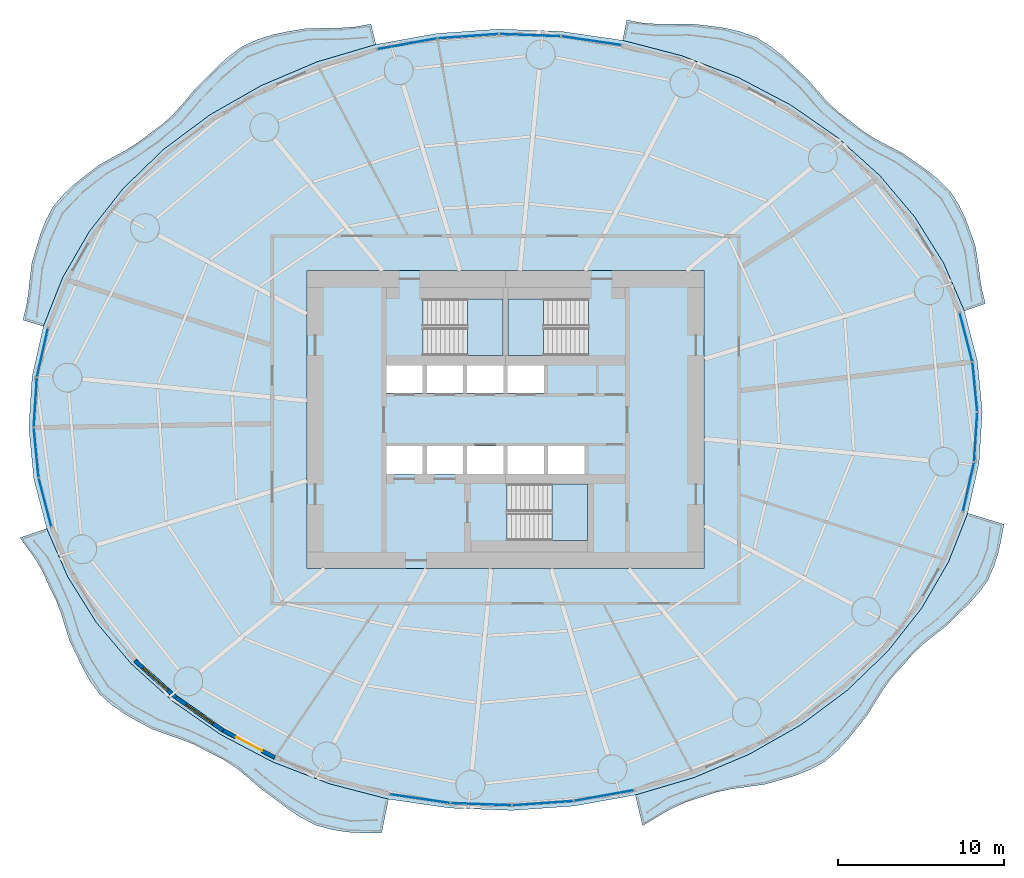
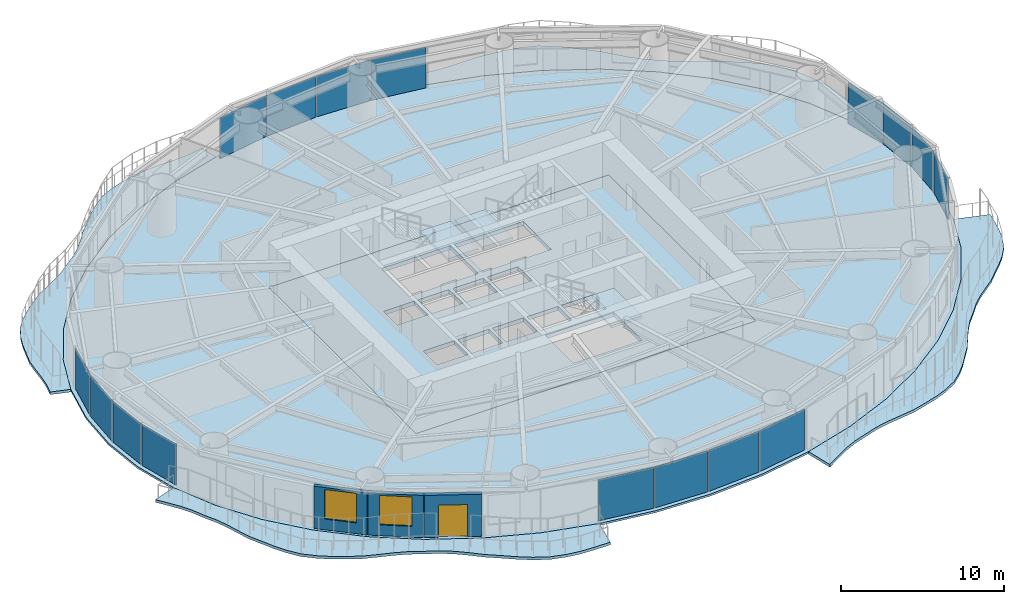
# One storey, part 7 of 17: 16 plates, 9 slabs, 3 walls, 2 windows, 1 door, 3 openings, 19 elements without a shape of their own.
"""IFC4 building model written with IfcOpenShell, lengths in metres."""

from ifc_helpers import new_model, si_unit, direction, frame, frame_2d, origin, origin_2d, place, context, subcontext, project, spatial, polyline, rectangle, outline, extrude, material, layer, layer_set, type_object, element, fill, aggregate, save


model = new_model("IFC4")

# Units and contexts
model_context = context("Model", 3, precision=1e-05, world=origin(), true_north=direction((0.0, 1.0)))
body_context = subcontext(model_context, "Body", "Model", "MODEL_VIEW")
ifc_project = project(units=[si_unit("LENGTHUNIT", "METRE"), si_unit("AREAUNIT", "SQUARE_METRE"), si_unit("VOLUMEUNIT", "CUBIC_METRE"), si_unit("PLANEANGLEUNIT", "RADIAN"), si_unit("MASSUNIT", "GRAM", prefix="KILO")], contexts=[model_context])

# Site, building, storey
site_placement = place(None, origin())
site = spatial("IfcSite", under=ifc_project, at=site_placement, CompositionType="ELEMENT")
building_placement = place(site_placement, origin())
building = spatial("IfcBuilding", under=site, at=building_placement, Name="Vermilion Reach Broadcast Tower", CompositionType="ELEMENT")
storey_placement = place(building_placement, frame((0.0, 0.0, 39.699951171875)))
storey = spatial("IfcBuildingStorey", under=building, at=storey_placement, Name="L06", CompositionType="ELEMENT", Elevation=39.699951171875)

# Slabs
ifc_material_1 = material(Name="Concrete C40/50", Category="concrete")
ifc_layer_1 = layer(ifc_material_1, 0.199951171875)
ifc_layer_set_1 = layer_set([ifc_layer_1], Name="Balcony slab 200")
slab_type_1 = type_object("IfcSlabType", Name="Balcony slab 200", PredefinedType="FLOOR", material=ifc_layer_set_1)
placement_1 = place(storey_placement, frame((0.0, 0.0, -0.199951171875)))
element("IfcSlab", 1, at=placement_1, inside=storey, type_object=slab_type_1, Name="Balcony slab L06 group 1", PredefinedType="FLOOR", context=body_context, shape_type="SweptSolid", body=[
    extrude(outline(polyline([(21.7119140625, 6.5732421875), (20.4521484375, 9.4755859375), (18.73974609375, 12.216064453125), (16.604248046875, 14.747314453125), (14.081787109375, 17.026123046875), (11.2158203125, 19.013916015625), (8.05517578125, 20.67626953125), (4.654296875, 21.984619140625), (1.07080078125, 22.9169921875), (1.3193359375, 24.14501953125), (2.299560546875, 23.96337890625), (3.23876953125, 23.896484375), (4.1962890625, 23.90087890625), (5.272705078125, 23.909423828125), (6.32421875, 23.7880859375), (7.250732421875, 23.659423828125), (8.146728515625, 23.451171875), (9.149658203125, 23.08935546875), (10.0380859375, 22.528076171875), (10.746826171875, 21.957763671875), (11.425048828125, 21.329345703125), (12.191162109375, 20.62158203125), (12.857666015625, 19.85107421875), (13.456298828125, 19.184326171875), (14.0986328125, 18.580322265625), (14.86083984375, 18.008544921875), (15.592529296875, 17.430419921875), (16.322509765625, 16.970703125), (17.096923828125, 16.560302734375), (17.993408203125, 16.090087890625), (18.801513671875, 15.517822265625), (19.503173828125, 15.026611328125), (20.160888671875, 14.498291015625), (20.880126953125, 13.775390625), (21.404052734375, 12.92822265625), (21.756591796875, 12.19580078125), (22.046875, 11.4248046875), (22.37744140625, 10.48779296875), (22.538818359375, 9.51904296875), (22.637451171875, 8.699462890625), (22.763671875, 7.89208984375), (22.981201171875, 7.010986328125), (21.7119140625, 6.5732421875)])), origin(), (0.0, 0.0, 1.0), 0.199951171875),
])
element("IfcSlab", 2, at=placement_1, inside=storey, type_object=slab_type_1, Name="Balcony slab L06 group 2", PredefinedType="FLOOR", context=body_context, shape_type="SweptSolid", body=[
    extrude(outline(polyline([(-13.834716796875, 22.667236328125), (-17.384765625, 21.615478515625), (-20.740234375, 20.193603515625), (-23.84326171875, 18.426513671875), (-26.64111328125, 16.34375), (-29.085693359375, 13.981689453125), (-31.13525390625, 11.380126953125), (-32.7548828125, 8.583984375), (-33.91650390625, 5.64111328125), (-35.154541015625, 6.022216796875), (-34.938232421875, 6.894775390625), (-34.81787109375, 7.69775390625), (-34.736572265625, 8.51611328125), (-34.61328125, 9.48291015625), (-34.332275390625, 10.431396484375), (-34.091796875, 11.2255859375), (-33.794921875, 11.9873046875), (-33.333740234375, 12.871826171875), (-32.669677734375, 13.643310546875), (-32.056396484375, 14.214111328125), (-31.389404296875, 14.74267578125), (-30.603271484375, 15.353515625), (-29.713623046875, 15.854736328125), (-28.939208984375, 16.276123046875), (-28.20263671875, 16.737060546875), (-27.462646484375, 17.311279296875), (-26.693359375, 17.87451171875), (-26.048583984375, 18.468505859375), (-25.454833984375, 19.13134765625), (-24.810791015625, 19.906982421875), (-24.07470703125, 20.636962890625), (-23.426513671875, 21.302490234375), (-22.752685546875, 21.92333984375), (-21.90478515625, 22.548828125), (-20.933349609375, 22.984619140625), (-20.060791015625, 23.2607421875), (-19.1513671875, 23.449462890625), (-18.105224609375, 23.623779296875), (-17.022705078125, 23.652099609375), (-16.060302734375, 23.66162109375), (-15.1142578125, 23.7275390625), (-14.127685546875, 23.901123046875), (-13.834716796875, 22.667236328125)])), origin(), (0.0, 0.0, 1.0), 0.199951171875),
])
element("IfcSlab", 3, at=placement_1, inside=storey, type_object=slab_type_1, Name="Balcony slab L06 group 3", PredefinedType="FLOOR", context=body_context, shape_type="SweptSolid", body=[
    extrude(outline(polyline([(-33.7119140625, -6.5732421875), (-32.4521484375, -9.4755859375), (-30.73974609375, -12.216064453125), (-28.604248046875, -14.747314453125), (-26.081787109375, -17.026123046875), (-23.2158203125, -19.013916015625), (-20.05517578125, -20.67626953125), (-16.654296875, -21.984619140625), (-13.07080078125, -22.9169921875), (-13.486572265625, -24.97119140625), (-14.55859375, -24.958740234375), (-15.503173828125, -24.912841796875), (-16.423583984375, -24.7744140625), (-17.45947265625, -24.490966796875), (-18.4052734375, -23.99853515625), (-19.18115234375, -23.478271484375), (-19.9375, -22.906982421875), (-20.784912109375, -22.285400390625), (-21.5537109375, -21.607177734375), (-22.260986328125, -21.033935546875), (-23.010498046875, -20.541259765625), (-23.877197265625, -20.104248046875), (-24.722900390625, -19.656982421875), (-25.550537109375, -19.320068359375), (-26.407958984375, -19.026611328125), (-27.385986328125, -18.67041015625), (-28.276123046875, -18.187255859375), (-29.03173828125, -17.755859375), (-29.735595703125, -17.26708984375), (-30.51025390625, -16.58984375), (-31.102783203125, -15.77197265625), (-31.5185546875, -15.03955078125), (-31.88818359375, -14.268310546875), (-32.322998046875, -13.36962890625), (-32.619873046875, -12.438232421875), (-32.86767578125, -11.640380859375), (-33.162353515625, -10.8720703125), (-33.5703125, -10.0634765625), (-33.923828125, -9.252197265625), (-34.314697265625, -8.5595703125), (-34.77099609375, -7.895263671875), (-35.328857421875, -7.131103515625), (-33.7119140625, -6.5732421875)])), origin(), (0.0, 0.0, 1.0), 0.199951171875),
])
element("IfcSlab", 4, at=placement_1, inside=storey, type_object=slab_type_1, Name="Balcony slab L06 group 4", PredefinedType="FLOOR", context=body_context, shape_type="SweptSolid", body=[
    extrude(outline(polyline([(1.834716796875, -22.667236328125), (5.384765625, -21.615478515625), (8.740234375, -20.193603515625), (11.84326171875, -18.426513671875), (14.64111328125, -16.34375), (17.085693359375, -13.981689453125), (19.13525390625, -11.380126953125), (20.7548828125, -8.583984375), (21.91650390625, -5.64111328125), (24.1064453125, -6.3154296875), (23.92626953125, -7.284912109375), (23.753662109375, -8.067138671875), (23.509765625, -8.8212890625), (23.1171875, -9.726806640625), (22.515625, -10.53759765625), (21.953125, -11.145263671875), (21.35107421875, -11.72998046875), (20.667724609375, -12.420166015625), (19.886962890625, -13.026611328125), (19.221923828125, -13.556640625), (18.611328125, -14.129638671875), (18.01513671875, -14.82177734375), (17.3798828125, -15.50927734375), (16.86669921875, -16.201171875), (16.4013671875, -16.942626953125), (15.8759765625, -17.7978515625), (15.235107421875, -18.602294921875), (14.674072265625, -19.308837890625), (14.07470703125, -19.9638671875), (13.29296875, -20.64501953125), (12.365966796875, -21.148193359375), (11.529541015625, -21.483642578125), (10.652099609375, -21.7470703125), (9.6455078125, -22.024658203125), (8.58935546875, -22.1728515625), (7.654296875, -22.301025390625), (6.74560546875, -22.49169921875), (5.808837890625, -22.7978515625), (4.861083984375, -23.10595703125), (4.011474609375, -23.497314453125), (3.1865234375, -23.971435546875), (2.275634765625, -24.52392578125), (1.834716796875, -22.667236328125)])), origin(), (0.0, 0.0, 1.0), 0.199951171875),
])
ifc_material_2 = material(Name="Concrete C40", Category="concrete")
ifc_layer_2 = layer(ifc_material_2, 0.300048828125)
ifc_layer_set_2 = layer_set([ifc_layer_2], Name="Core floor slab 300 mm Concrete C40")
slab_type_2 = type_object("IfcSlabType", Name="Core floor slab 300 mm Concrete C40", PredefinedType="FLOOR", material=ifc_layer_set_2)
slab_5_placement = place(storey_placement, frame((0.0, 0.0, -0.300048828125)))
element("IfcSlab", 5, at=slab_5_placement, inside=storey, type_object=slab_type_2, Name="L06 core floor", PredefinedType="FLOOR", context=body_context, shape_type="SweptSolid", body=[
    extrude(outline(polyline([(-18.0, -9.0), (6.0, -9.0), (6.0, 9.0), (-18.0, 9.0), (-18.0, -9.0)]), holes=[polyline([(-13.199951171875, 1.60009765625), (-11.00830078125, 1.60009765625), (-11.00830078125, 3.280029296875), (-13.199951171875, 3.280029296875), (-13.199951171875, 1.60009765625)]), polyline([(-10.75830078125, 1.60009765625), (-8.566650390625, 1.60009765625), (-8.566650390625, 3.280029296875), (-10.75830078125, 3.280029296875), (-10.75830078125, 1.60009765625)]), polyline([(-8.316650390625, 1.60009765625), (-6.125, 1.60009765625), (-6.125, 3.280029296875), (-8.316650390625, 3.280029296875), (-8.316650390625, 1.60009765625)]), polyline([(-5.875, 1.60009765625), (-3.683349609375, 1.60009765625), (-3.683349609375, 3.280029296875), (-5.875, 3.280029296875), (-5.875, 1.60009765625)]), polyline([(-13.199951171875, -3.280029296875), (-11.00830078125, -3.280029296875), (-11.00830078125, -1.60009765625), (-13.199951171875, -1.60009765625), (-13.199951171875, -3.280029296875)]), polyline([(-10.75830078125, -3.280029296875), (-8.566650390625, -3.280029296875), (-8.566650390625, -1.60009765625), (-10.75830078125, -1.60009765625), (-10.75830078125, -3.280029296875)]), polyline([(-8.316650390625, -3.280029296875), (-6.125, -3.280029296875), (-6.125, -1.60009765625), (-8.316650390625, -1.60009765625), (-8.316650390625, -3.280029296875)]), polyline([(-5.875, -3.280029296875), (-3.683349609375, -3.280029296875), (-3.683349609375, -1.60009765625), (-5.875, -1.60009765625), (-5.875, -3.280029296875)]), polyline([(-3.433349609375, -3.280029296875), (-1.24169921875, -3.280029296875), (-1.24169921875, -1.60009765625), (-3.433349609375, -1.60009765625), (-3.433349609375, -3.280029296875)]), polyline([(-10.999267578125, 3.8798828125), (-6.14990234375, 3.8798828125), (-6.14990234375, 7.300048828125), (-10.999267578125, 7.300048828125), (-10.999267578125, 3.8798828125)]), polyline([(-1.000732421875, 7.300048828125), (-5.85009765625, 7.300048828125), (-5.85009765625, 3.8798828125), (-1.000732421875, 3.8798828125), (-1.000732421875, 7.300048828125)]), polyline([(-5.8994140625, -7.300048828125), (-1.050048828125, -7.300048828125), (-1.050048828125, -3.8798828125), (-5.8994140625, -3.8798828125), (-5.8994140625, -7.300048828125)])]), origin(), (0.0, 0.0, 1.0), 0.300048828125),
])

# Stair, slab
ifc_material_3 = material(Name="Concrete C40", Category="concrete")
stair_type = type_object("IfcStairType", Name="Exit stair RC 22 risers 168 mm", PredefinedType="HALF_TURN_STAIR", material=ifc_material_3)
placement_2 = place(storey_placement, origin())
stair_1 = element("IfcStair", 6, at=placement_2, inside=storey, type_object=stair_type, Name="L06 Exit stair ST1", PredefinedType="HALF_TURN_STAIR")
ifc_material_4 = material(Name="Concrete C40", Category="concrete")
ifc_layer_3 = layer(ifc_material_4, 0.199951171875)
ifc_layer_set_3 = layer_set([ifc_layer_3], Name="Exit stair landing Concrete C40")
slab_type_3 = type_object("IfcSlabType", Name="Exit stair landing Concrete C40", PredefinedType="LANDING", material=ifc_layer_set_3)
placement_3 = place(storey_placement, frame((0.0, 0.0, 1.650146484375)))
slab_6 = element("IfcSlab", 7, at=placement_3, type_object=slab_type_3, Name="ST1 landing 1", PredefinedType="LANDING", context=body_context, shape_type="SweptSolid", body=[
    extrude(outline(polyline([(-8.300048828125, 3.8798828125), (-6.14990234375, 3.8798828125), (-6.14990234375, 7.300048828125), (-8.300048828125, 7.300048828125), (-8.300048828125, 3.8798828125)])), origin(), (0.0, 0.0, 1.0), 0.199951171875),
])
aggregate(stair_1, [slab_6])

stair_2 = element("IfcStair", 8, at=placement_2, inside=storey, type_object=stair_type, Name="L06 Exit stair ST2", PredefinedType="HALF_TURN_STAIR")
slab_7 = element("IfcSlab", 9, at=placement_3, type_object=slab_type_3, Name="ST2 landing 1", PredefinedType="LANDING", context=body_context, shape_type="SweptSolid", body=[
    extrude(outline(polyline([(-3.699951171875, 7.300048828125), (-5.85009765625, 7.300048828125), (-5.85009765625, 3.8798828125), (-3.699951171875, 3.8798828125), (-3.699951171875, 7.300048828125)])), origin(), (0.0, 0.0, 1.0), 0.199951171875),
])
aggregate(stair_2, [slab_7])

stair_3 = element("IfcStair", 10, at=placement_2, inside=storey, type_object=stair_type, Name="L06 Exit stair ST3", PredefinedType="HALF_TURN_STAIR")
slab_8 = element("IfcSlab", 11, at=placement_3, type_object=slab_type_3, Name="ST3 landing 1", PredefinedType="LANDING", context=body_context, shape_type="SweptSolid", body=[
    extrude(outline(polyline([(-3.199951171875, -7.300048828125), (-1.050048828125, -7.300048828125), (-1.050048828125, -3.8798828125), (-3.199951171875, -3.8798828125), (-3.199951171875, -7.300048828125)])), origin(), (0.0, 0.0, 1.0), 0.199951171875),
])
aggregate(stair_3, [slab_8])

# Slab
ifc_material_5 = material(Name="Concrete C40", Category="concrete")
ifc_layer_4 = layer(ifc_material_5, 0.14990234375)
ifc_layer_set_4 = layer_set([ifc_layer_4], Name="Floor slab Concrete C40 composite 150")
slab_type_4 = type_object("IfcSlabType", Name="Floor slab Concrete C40 composite 150", PredefinedType="FLOOR", material=ifc_layer_set_4)
slab_9_placement = place(storey_placement, frame((0.0, 0.0, -0.14990234375)))
element("IfcSlab", 12, at=slab_9_placement, inside=storey, type_object=slab_type_4, Name="Floor slab L06", PredefinedType="FLOOR", context=body_context, shape_type="SweptSolid", body=[
    extrude(outline(polyline([(22.79541015625, 0.482421875), (22.497314453125, 3.558349609375), (21.7119140625, 6.5732421875), (20.4521484375, 9.4755859375), (18.73974609375, 12.216064453125), (16.604248046875, 14.747314453125), (14.081787109375, 17.026123046875), (11.2158203125, 19.013916015625), (8.05517578125, 20.67626953125), (4.654296875, 21.984619140625), (1.07080078125, 22.9169921875), (-2.633544921875, 23.457275390625), (-6.3955078125, 23.59619140625), (-10.150634765625, 23.331298828125), (-13.834716796875, 22.667236328125), (-17.384765625, 21.615478515625), (-20.740234375, 20.193603515625), (-23.84326171875, 18.426513671875), (-26.64111328125, 16.34375), (-29.085693359375, 13.981689453125), (-31.13525390625, 11.380126953125), (-32.7548828125, 8.583984375), (-33.91650390625, 5.64111328125), (-34.6005859375, 2.6015625), (-34.79541015625, -0.482421875), (-34.497314453125, -3.558349609375), (-33.7119140625, -6.5732421875), (-32.4521484375, -9.4755859375), (-30.73974609375, -12.216064453125), (-28.604248046875, -14.747314453125), (-26.081787109375, -17.026123046875), (-23.2158203125, -19.013916015625), (-20.05517578125, -20.67626953125), (-16.654296875, -21.984619140625), (-13.07080078125, -22.9169921875), (-9.366455078125, -23.457275390625), (-5.6044921875, -23.59619140625), (-1.849365234375, -23.331298828125), (1.834716796875, -22.667236328125), (5.384765625, -21.615478515625), (8.740234375, -20.193603515625), (11.84326171875, -18.426513671875), (14.64111328125, -16.34375), (17.085693359375, -13.981689453125), (19.13525390625, -11.380126953125), (20.7548828125, -8.583984375), (21.91650390625, -5.64111328125), (22.6005859375, -2.6015625), (22.79541015625, 0.482421875)]), holes=[polyline([(-18.0, -9.0), (6.0, -9.0), (6.0, 9.0), (-18.0, 9.0), (-18.0, -9.0)])]), origin(), (0.0, 0.0, 1.0), 0.14990234375),
])

# Curtain wall, plate
ifc_material_6 = material(Name="Low-e laminated clear glass in aluminium frame", Category="aluminium")
curtain_wall_type = type_object("IfcCurtainWallType", Name="Slot curtain wall", PredefinedType="NOTDEFINED", material=ifc_material_6)
curtain_wall_1 = element("IfcCurtainWall", 13, at=placement_2, inside=storey, type_object=curtain_wall_type, Name="Slot curtain wall L06 46", PredefinedType="NOTDEFINED")
ifc_material_7 = material(Name="Low-e laminated clear glass", Category="glass")
ifc_layer_5 = layer(ifc_material_7, 0.028076171875)
ifc_layer_set_5 = layer_set([ifc_layer_5], Name="Slot glass panel")
plate_type = type_object("IfcPlateType", Name="Slot glass panel", PredefinedType="CURTAIN_PANEL", material=ifc_layer_set_5)
plate_1_placement = place(storey_placement, frame((21.966796875, -4.0556640625, 0.0), z_axis=(0.0, 0.0, 1.0), x_axis=(0.219582682594, 0.975593893741, 0.0)))
plate_1 = element("IfcPlate", 14, at=plate_1_placement, type_object=plate_type, Name="Slot glass panel L06 46", PredefinedType="CURTAIN_PANEL", context=body_context, shape_type="SweptSolid", body=[
    extrude(rectangle(XDim=2.988525390625, YDim=0.028076171875, at=origin_2d()), origin(), (0.0, 0.0, 1.0), 3.050048828125),
])
aggregate(curtain_wall_1, [plate_1])

curtain_wall_2 = element("IfcCurtainWall", 15, at=placement_2, inside=storey, type_object=curtain_wall_type, Name="Slot curtain wall L06 47", PredefinedType="NOTDEFINED")
plate_2_placement = place(storey_placement, frame((22.399658203125, -1.040771484375, 0.0), z_axis=(0.0, 0.0, 1.0), x_axis=(0.063020822171, 0.998012212337, 0.0)))
plate_2 = element("IfcPlate", 16, at=plate_2_placement, type_object=plate_type, Name="Slot glass panel L06 47", PredefinedType="CURTAIN_PANEL", context=body_context, shape_type="SweptSolid", body=[
    extrude(rectangle(XDim=2.96240234375, YDim=0.028076171875, at=origin_2d()), origin(), (0.0, 0.0, 1.0), 3.050048828125),
])
aggregate(curtain_wall_2, [plate_2])

curtain_wall_3 = element("IfcCurtainWall", 17, at=placement_2, inside=storey, type_object=curtain_wall_type, Name="Slot curtain wall L06 00", PredefinedType="NOTDEFINED")
plate_3_placement = place(storey_placement, frame((22.3486328125, 1.99169921875, 0.0), z_axis=(0.0, 0.0, 1.0), x_axis=(-0.096422776934, 0.995340468427, 0.0)))
plate_3 = element("IfcPlate", 18, at=plate_3_placement, type_object=plate_type, Name="Slot glass panel L06 00", PredefinedType="CURTAIN_PANEL", context=body_context, shape_type="SweptSolid", body=[
    extrude(rectangle(XDim=2.96240234375, YDim=0.028076171875, at=origin_2d()), origin(), (0.0, 0.0, 1.0), 3.050048828125),
])
aggregate(curtain_wall_3, [plate_3])

curtain_wall_4 = element("IfcCurtainWall", 19, at=placement_2, inside=storey, type_object=curtain_wall_type, Name="Slot curtain wall L06 01", PredefinedType="NOTDEFINED")
plate_4_placement = place(storey_placement, frame((21.815185546875, 4.990478515625, 0.0), z_axis=(0.0, 0.0, 1.0), x_axis=(-0.252145782336, 0.967689260274, 0.0)))
plate_4 = element("IfcPlate", 20, at=plate_4_placement, type_object=plate_type, Name="Slot glass panel L06 01", PredefinedType="CURTAIN_PANEL", context=body_context, shape_type="SweptSolid", body=[
    extrude(rectangle(XDim=2.988525390625, YDim=0.028076171875, at=origin_2d()), origin(), (0.0, 0.0, 1.0), 3.050048828125),
])
aggregate(curtain_wall_4, [plate_4])

curtain_wall_5 = element("IfcCurtainWall", 21, at=placement_2, inside=storey, type_object=curtain_wall_type, Name="Slot curtain wall L06 10", PredefinedType="NOTDEFINED")
plate_5_placement = place(storey_placement, frame((-0.82470703125, 22.890869140625, 0.0), z_axis=(0.0, 0.0, 1.0), x_axis=(-0.989531974148, 0.144313797463, 0.0)))
plate_5 = element("IfcPlate", 22, at=plate_5_placement, type_object=plate_type, Name="Slot glass panel L06 10", PredefinedType="CURTAIN_PANEL", context=body_context, shape_type="SweptSolid", body=[
    extrude(rectangle(XDim=3.630859375, YDim=0.028076171875, at=origin_2d()), origin(), (0.0, 0.0, 1.0), 3.050048828125),
])
aggregate(curtain_wall_5, [plate_5])

curtain_wall_6 = element("IfcCurtainWall", 23, at=placement_2, inside=storey, type_object=curtain_wall_type, Name="Slot curtain wall L06 11", PredefinedType="NOTDEFINED")
plate_6_placement = place(storey_placement, frame((-4.525390625, 23.227294921875, 0.0), z_axis=(0.0, 0.0, 1.0), x_axis=(-0.999319209122, 0.036893336519, 0.0)))
plate_6 = element("IfcPlate", 24, at=plate_6_placement, type_object=plate_type, Name="Slot glass panel L06 11", PredefinedType="CURTAIN_PANEL", context=body_context, shape_type="SweptSolid", body=[
    extrude(rectangle(XDim=3.65234375, YDim=0.028076171875, at=origin_2d()), origin(), (0.0, 0.0, 1.0), 3.050048828125),
])
aggregate(curtain_wall_6, [plate_6])

curtain_wall_7 = element("IfcCurtainWall", 25, at=placement_2, inside=storey, type_object=curtain_wall_type, Name="Slot curtain wall L06 12", PredefinedType="NOTDEFINED")
plate_7_placement = place(storey_placement, frame((-8.251953125, 23.1650390625, 0.0), z_axis=(0.0, 0.0, 1.0), x_axis=(-0.997522093936, -0.070353906149, 0.0)))
plate_7 = element("IfcPlate", 26, at=plate_7_placement, type_object=plate_type, Name="Slot glass panel L06 12", PredefinedType="CURTAIN_PANEL", context=body_context, shape_type="SweptSolid", body=[
    extrude(rectangle(XDim=3.65234375, YDim=0.028076171875, at=origin_2d()), origin(), (0.0, 0.0, 1.0), 3.050048828125),
])
aggregate(curtain_wall_7, [plate_7])

curtain_wall_8 = element("IfcCurtainWall", 27, at=placement_2, inside=storey, type_object=curtain_wall_type, Name="Slot curtain wall L06 13", PredefinedType="NOTDEFINED")
plate_8_placement = place(storey_placement, frame((-11.939453125, 22.70458984375, 0.0), z_axis=(0.0, 0.0, 1.0), x_axis=(-0.984141337672, -0.177386097214, 0.0)))
plate_8 = element("IfcPlate", 28, at=plate_8_placement, type_object=plate_type, Name="Slot glass panel L06 13", PredefinedType="CURTAIN_PANEL", context=body_context, shape_type="SweptSolid", body=[
    extrude(rectangle(XDim=3.630859375, YDim=0.028076171875, at=origin_2d()), origin(), (0.0, 0.0, 1.0), 3.050048828125),
])
aggregate(curtain_wall_8, [plate_8])

curtain_wall_9 = element("IfcCurtainWall", 29, at=placement_2, inside=storey, type_object=curtain_wall_type, Name="Slot curtain wall L06 22", PredefinedType="NOTDEFINED")
plate_9_placement = place(storey_placement, frame((-33.966796875, 4.0556640625, 0.0), z_axis=(0.0, 0.0, 1.0), x_axis=(-0.219582682594, -0.975593893741, 0.0)))
plate_9 = element("IfcPlate", 30, at=plate_9_placement, type_object=plate_type, Name="Slot glass panel L06 22", PredefinedType="CURTAIN_PANEL", context=body_context, shape_type="SweptSolid", body=[
    extrude(rectangle(XDim=2.988525390625, YDim=0.028076171875, at=origin_2d()), origin(), (0.0, 0.0, 1.0), 3.050048828125),
])
aggregate(curtain_wall_9, [plate_9])

curtain_wall_10 = element("IfcCurtainWall", 31, at=placement_2, inside=storey, type_object=curtain_wall_type, Name="Slot curtain wall L06 23", PredefinedType="NOTDEFINED")
plate_10_placement = place(storey_placement, frame((-34.399658203125, 1.040771484375, 0.0), z_axis=(0.0, 0.0, 1.0), x_axis=(-0.063020822171, -0.998012212337, 0.0)))
plate_10 = element("IfcPlate", 32, at=plate_10_placement, type_object=plate_type, Name="Slot glass panel L06 23", PredefinedType="CURTAIN_PANEL", context=body_context, shape_type="SweptSolid", body=[
    extrude(rectangle(XDim=2.96240234375, YDim=0.028076171875, at=origin_2d()), origin(), (0.0, 0.0, 1.0), 3.050048828125),
])
aggregate(curtain_wall_10, [plate_10])

curtain_wall_11 = element("IfcCurtainWall", 33, at=placement_2, inside=storey, type_object=curtain_wall_type, Name="Slot curtain wall L06 24", PredefinedType="NOTDEFINED")
plate_11_placement = place(storey_placement, frame((-34.3486328125, -1.99169921875, 0.0), z_axis=(0.0, 0.0, 1.0), x_axis=(0.096422776934, -0.995340468427, 0.0)))
plate_11 = element("IfcPlate", 34, at=plate_11_placement, type_object=plate_type, Name="Slot glass panel L06 24", PredefinedType="CURTAIN_PANEL", context=body_context, shape_type="SweptSolid", body=[
    extrude(rectangle(XDim=2.96240234375, YDim=0.028076171875, at=origin_2d()), origin(), (0.0, 0.0, 1.0), 3.050048828125),
])
aggregate(curtain_wall_11, [plate_11])

curtain_wall_12 = element("IfcCurtainWall", 35, at=placement_2, inside=storey, type_object=curtain_wall_type, Name="Slot curtain wall L06 25", PredefinedType="NOTDEFINED")
plate_12_placement = place(storey_placement, frame((-33.815185546875, -4.990478515625, 0.0), z_axis=(0.0, 0.0, 1.0), x_axis=(0.252145782336, -0.967689260274, 0.0)))
plate_12 = element("IfcPlate", 36, at=plate_12_placement, type_object=plate_type, Name="Slot glass panel L06 25", PredefinedType="CURTAIN_PANEL", context=body_context, shape_type="SweptSolid", body=[
    extrude(rectangle(XDim=2.988525390625, YDim=0.028076171875, at=origin_2d()), origin(), (0.0, 0.0, 1.0), 3.050048828125),
])
aggregate(curtain_wall_12, [plate_12])

curtain_wall_13 = element("IfcCurtainWall", 37, at=placement_2, inside=storey, type_object=curtain_wall_type, Name="Slot curtain wall L06 34", PredefinedType="NOTDEFINED")
plate_13_placement = place(storey_placement, frame((-11.17529296875, -22.890869140625, 0.0), z_axis=(0.0, 0.0, 1.0), x_axis=(0.989531974148, -0.144313797463, 0.0)))
plate_13 = element("IfcPlate", 38, at=plate_13_placement, type_object=plate_type, Name="Slot glass panel L06 34", PredefinedType="CURTAIN_PANEL", context=body_context, shape_type="SweptSolid", body=[
    extrude(rectangle(XDim=3.630859375, YDim=0.028076171875, at=origin_2d()), origin(), (0.0, 0.0, 1.0), 3.050048828125),
])
aggregate(curtain_wall_13, [plate_13])

curtain_wall_14 = element("IfcCurtainWall", 39, at=placement_2, inside=storey, type_object=curtain_wall_type, Name="Slot curtain wall L06 35", PredefinedType="NOTDEFINED")
plate_14_placement = place(storey_placement, frame((-7.474609375, -23.227294921875, 0.0), z_axis=(0.0, 0.0, 1.0), x_axis=(0.999319209122, -0.036893336519, 0.0)))
plate_14 = element("IfcPlate", 40, at=plate_14_placement, type_object=plate_type, Name="Slot glass panel L06 35", PredefinedType="CURTAIN_PANEL", context=body_context, shape_type="SweptSolid", body=[
    extrude(rectangle(XDim=3.65234375, YDim=0.028076171875, at=origin_2d()), origin(), (0.0, 0.0, 1.0), 3.050048828125),
])
aggregate(curtain_wall_14, [plate_14])

curtain_wall_15 = element("IfcCurtainWall", 41, at=placement_2, inside=storey, type_object=curtain_wall_type, Name="Slot curtain wall L06 36", PredefinedType="NOTDEFINED")
plate_15_placement = place(storey_placement, frame((-3.748046875, -23.1650390625, 0.0), z_axis=(0.0, 0.0, 1.0), x_axis=(0.997522093936, 0.070353906149, 0.0)))
plate_15 = element("IfcPlate", 42, at=plate_15_placement, type_object=plate_type, Name="Slot glass panel L06 36", PredefinedType="CURTAIN_PANEL", context=body_context, shape_type="SweptSolid", body=[
    extrude(rectangle(XDim=3.65234375, YDim=0.028076171875, at=origin_2d()), origin(), (0.0, 0.0, 1.0), 3.050048828125),
])
aggregate(curtain_wall_15, [plate_15])

curtain_wall_16 = element("IfcCurtainWall", 43, at=placement_2, inside=storey, type_object=curtain_wall_type, Name="Slot curtain wall L06 37", PredefinedType="NOTDEFINED")
plate_16_placement = place(storey_placement, frame((-0.060546875, -22.70458984375, 0.0), z_axis=(0.0, 0.0, 1.0), x_axis=(0.984141337672, 0.177386097214, 0.0)))
plate_16 = element("IfcPlate", 44, at=plate_16_placement, type_object=plate_type, Name="Slot glass panel L06 37", PredefinedType="CURTAIN_PANEL", context=body_context, shape_type="SweptSolid", body=[
    extrude(rectangle(XDim=3.630859375, YDim=0.028076171875, at=origin_2d()), origin(), (0.0, 0.0, 1.0), 3.050048828125),
])
aggregate(curtain_wall_16, [plate_16])

# Wall, opening, window
ifc_material_8 = material(Name="Terracotta rainscreen cladding", Category="masonry")
ifc_layer_6 = layer(ifc_material_8, 0.25)
ifc_layer_set_6 = layer_set([ifc_layer_6], Name="Terracotta rainscreen wall 250")
wall_type = type_object("IfcWallType", Name="Terracotta rainscreen wall 250", PredefinedType="SOLIDWALL", material=ifc_layer_set_6)
wall_1_placement = place(storey_placement, frame((-28.37939453125, -14.546875, 0.0), z_axis=(0.0, 0.0, 1.0), x_axis=(0.741993404353, -0.670407180672, 0.0)))
wall_1 = element("IfcWall", 45, at=wall_1_placement, inside=storey, type_object=wall_type, Name="External wall L06 29", PredefinedType="SOLIDWALL", context=body_context, shape_type="SweptSolid", body=[
    extrude(rectangle(XDim=3.33544921875, YDim=0.25, at=frame_2d((1.667724609375, 0.0))), origin(), (0.0, 0.0, 1.0), 3.150146484375),
])
opening_1_placement = place(wall_1_placement, frame((0.667724609375, 0.0, 0.800048828125)))
opening_1 = element("IfcOpeningElement", 46, at=opening_1_placement, cuts=wall_1, Name="Opening W01", PredefinedType="OPENING", context=body_context, shape_type="SweptSolid", body=[
    extrude(rectangle(XDim=2.0, YDim=2.199951171875, at=frame_2d((1.0, 1.10009765625))), frame((0.0, 0.135009765625, 0.0), z_axis=(0.0, -1.0, 0.0), x_axis=(1.0, 0.0, 0.0)), (0.0, 0.0, 1.0), 0.27001953125),
])
ifc_material_9 = material(Name="Low-e laminated clear glass in aluminium frame", Category="aluminium")
window_type = type_object("IfcWindowType", Name="Punched window 2000 x 2200 sill 800", PartitioningType="SINGLE_PANEL", PredefinedType="WINDOW", material=ifc_material_9)
window_1_placement = place(opening_1_placement, origin())
window_1 = element("IfcWindow", 47, at=window_1_placement, inside=storey, type_object=window_type, Name="Window L06 29", OverallHeight=2.199951171875, OverallWidth=2.0, PartitioningType="SINGLE_PANEL", PredefinedType="WINDOW", context=body_context, shape_type="SweptSolid", body=[
    extrude(rectangle(XDim=2.0, YDim=2.199951171875, at=frame_2d((1.0, 1.10009765625))), frame((0.0, 0.030029296875, 0.0), z_axis=(0.0, -1.0, 0.0), x_axis=(1.0, 0.0, 0.0)), (0.0, 0.0, 1.0), 0.06005859375),
])
fill(opening_1, window_1)

wall_2_placement = place(storey_placement, frame((-25.8857421875, -16.7978515625, 0.0), z_axis=(0.0, 0.0, 1.0), x_axis=(0.821704553171, -0.569913701623, 0.0)))
wall_2 = element("IfcWall", 48, at=wall_2_placement, inside=storey, type_object=wall_type, Name="External wall L06 30", PredefinedType="SOLIDWALL", context=body_context, shape_type="SweptSolid", body=[
    extrude(rectangle(XDim=3.426513671875, YDim=0.25, at=frame_2d((1.71337890625, 0.0))), origin(), (0.0, 0.0, 1.0), 3.150146484375),
])
opening_2_placement = place(wall_2_placement, frame((0.71337890625, 0.0, 0.800048828125)))
opening_2 = element("IfcOpeningElement", 49, at=opening_2_placement, cuts=wall_2, Name="Opening W01", PredefinedType="OPENING", context=body_context, shape_type="SweptSolid", body=[
    extrude(rectangle(XDim=2.0, YDim=2.199951171875, at=frame_2d((1.0, 1.10009765625))), frame((0.0, 0.135009765625, 0.0), z_axis=(0.0, -1.0, 0.0), x_axis=(1.0, 0.0, 0.0)), (0.0, 0.0, 1.0), 0.27001953125),
])
window_2_placement = place(opening_2_placement, origin())
window_2 = element("IfcWindow", 50, at=window_2_placement, inside=storey, type_object=window_type, Name="Window L06 30", OverallHeight=2.199951171875, OverallWidth=2.0, PartitioningType="SINGLE_PANEL", PredefinedType="WINDOW", context=body_context, shape_type="SweptSolid", body=[
    extrude(rectangle(XDim=2.0, YDim=2.199951171875, at=frame_2d((1.0, 1.10009765625))), frame((0.0, 0.030029296875, 0.0), z_axis=(0.0, -1.0, 0.0), x_axis=(1.0, 0.0, 0.0)), (0.0, 0.0, 1.0), 0.06005859375),
])
fill(opening_2, window_2)

# Wall, opening, door
wall_3_placement = place(storey_placement, frame((-23.050048828125, -18.7626953125, 0.0), z_axis=(0.0, 0.0, 1.0), x_axis=(0.885034300513, -0.465525817667, 0.0)))
wall_3 = element("IfcWall", 51, at=wall_3_placement, inside=storey, type_object=wall_type, Name="External wall L06 31", PredefinedType="SOLIDWALL", context=body_context, shape_type="SweptSolid", body=[
    extrude(rectangle(XDim=3.51220703125, YDim=0.25, at=frame_2d((1.756103515625, 0.0))), origin(), (0.0, 0.0, 1.0), 3.150146484375),
])
opening_3_placement = place(wall_3_placement, frame((0.85595703125, 0.0, 0.0)))
opening_3 = element("IfcOpeningElement", 52, at=opening_3_placement, cuts=wall_3, Name="Opening D70", PredefinedType="OPENING", context=body_context, shape_type="SweptSolid", body=[
    extrude(rectangle(XDim=1.800048828125, YDim=2.39990234375, at=frame_2d((0.89990234375, 1.199951171875))), frame((0.0, 0.135009765625, 0.0), z_axis=(0.0, -1.0, 0.0), x_axis=(1.0, 0.0, 0.0)), (0.0, 0.0, 1.0), 0.27001953125),
])
ifc_material_10 = material(Name="Low-e laminated clear glass in aluminium frame", Category="aluminium")
door_type = type_object("IfcDoorType", Name="Balcony sliding door 1800 x 2400", OperationType="DOUBLE_DOOR_SLIDING", PredefinedType="DOOR", material=ifc_material_10)
door_placement = place(opening_3_placement, origin())
door = element("IfcDoor", 53, at=door_placement, inside=storey, type_object=door_type, Name="Balcony door L06 run 08", OperationType="DOUBLE_DOOR_SLIDING", OverallHeight=2.39990234375, OverallWidth=1.800048828125, PredefinedType="DOOR", context=body_context, shape_type="SweptSolid", body=[
    extrude(rectangle(XDim=1.800048828125, YDim=2.39990234375, at=frame_2d((0.89990234375, 1.199951171875))), frame((0.0, 0.02490234375, 0.0), z_axis=(0.0, -1.0, 0.0), x_axis=(1.0, 0.0, 0.0)), (0.0, 0.0, 1.0), 0.050048828125),
])
fill(opening_3, door)

save(model, "model.ifc")
